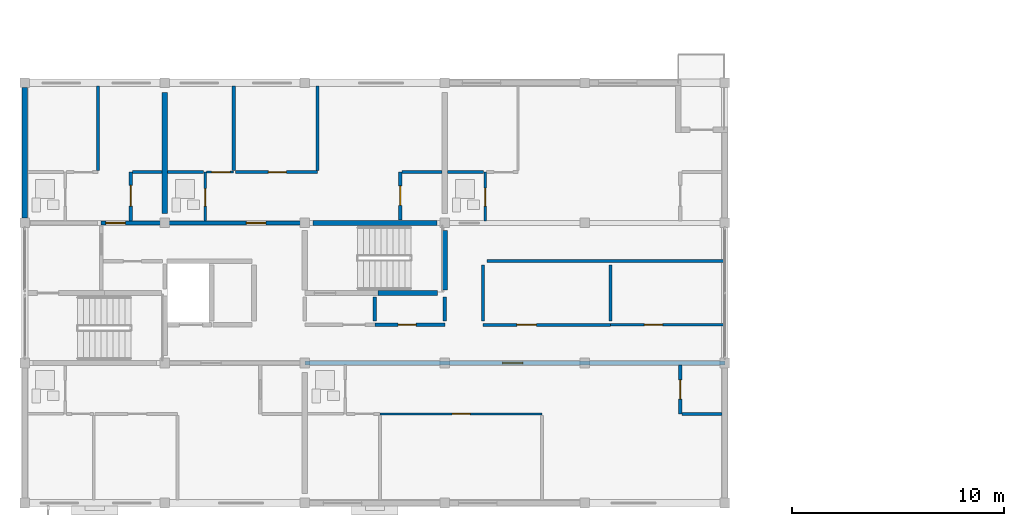
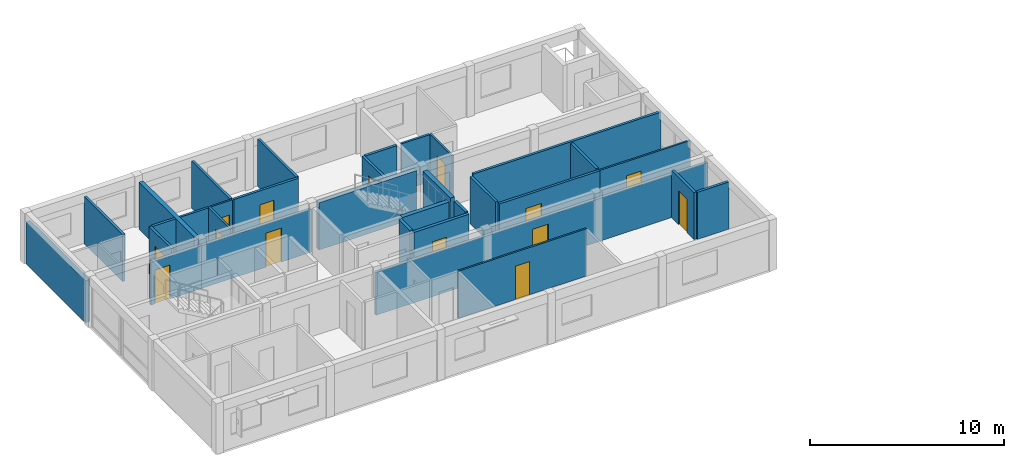
# One storey, part 10 of 22: 32 walls, 14 doors, 14 openings.
"""IFC4 building model written with IfcOpenShell, lengths in metres."""

from ifc_helpers import new_model, si_unit, direction, frame, frame_2d, origin, place, context, subcontext, project, spatial, rectangle, extrude, material, layer, layer_set, type_object, element, fill, save


model = new_model("IFC4")

# Units and contexts
model_context = context("Model", 3, precision=1e-05, world=origin(), true_north=direction((0.0, 1.0)))
body_context = subcontext(model_context, "Body", "Model", "MODEL_VIEW")
ifc_project = project(units=[si_unit("LENGTHUNIT", "METRE"), si_unit("AREAUNIT", "SQUARE_METRE"), si_unit("VOLUMEUNIT", "CUBIC_METRE"), si_unit("PLANEANGLEUNIT", "RADIAN"), si_unit("MASSUNIT", "GRAM", prefix="KILO")], contexts=[model_context])

# Site, building, storey
site_placement = place(None, origin())
site = spatial("IfcSite", under=ifc_project, at=site_placement, CompositionType="ELEMENT")
building_placement = place(site_placement, origin())
building = spatial("IfcBuilding", under=site, at=building_placement, Name="Kernevlak Ridge Housing Community", CompositionType="ELEMENT")
storey_placement = place(building_placement, frame((0.0, 0.0, 43.60009765625)))
storey = spatial("IfcBuildingStorey", under=building, at=storey_placement, Name="L13", CompositionType="ELEMENT", Elevation=43.60009765625)

# Wall
ifc_material_1 = material(Name="Concrete block masonry M10", Category="masonry")
ifc_layer_1 = layer(ifc_material_1, 0.260009765625, Name="Concrete block masonry M10")
ifc_layer_set_1 = layer_set([ifc_layer_1], Name="Concrete block masonry M10")
wall_type_1 = type_object("IfcWallType", Name="EW-05", PredefinedType="STANDARD", material=ifc_layer_set_1)
wall_1_placement = place(storey_placement, frame((15.60009765625, 89.425048828125, 0.0), z_axis=(0.0, 0.0, 1.0), x_axis=(0.0, 1.0, 0.0)))
element("IfcWall", 1, at=wall_1_placement, inside=storey, type_object=wall_type_1, Name="Exterior wall EW-05 L13 218", PredefinedType="STANDARD", context=body_context, shape_type="SweptSolid", body=[
    extrude(rectangle(XDim=6.14990234375, YDim=0.260009765625, at=frame_2d((3.074951171875, 0.0))), origin(), (0.0, 0.0, 1.0), 2.64990234375),
])

# Wall, opening, door
ifc_layer_2 = layer(ifc_material_1, 0.175048828125, Name="Concrete block masonry M10")
ifc_layer_set_2 = layer_set([ifc_layer_2], Name="Concrete block masonry M10")
wall_type_2 = type_object("IfcWallType", Name="PW-02", PredefinedType="PARTITIONING", material=ifc_layer_set_2)
wall_2_placement = place(storey_placement, frame((32.10009765625, 84.39990234375, 0.0), z_axis=(0.0, 0.0, 1.0), x_axis=(1.0, 0.0, 0.0)))
wall_2 = element("IfcWall", 2, at=wall_2_placement, inside=storey, type_object=wall_type_2, Name="Interior wall PW-02 WAL-INT-L13-0831", PredefinedType="PARTITIONING", context=body_context, shape_type="SweptSolid", body=[
    extrude(rectangle(XDim=3.2998046875, YDim=0.175048828125, at=frame_2d((1.64990234375, 0.0))), origin(), (0.0, 0.0, 1.0), 2.97998046875),
])
opening_1_placement = place(wall_2_placement, frame((1.10009765625, 0.0, 0.0)))
opening_1 = element("IfcOpeningElement", 3, at=opening_1_placement, cuts=wall_2, Name="Opening D420", PredefinedType="OPENING", context=body_context, shape_type="SweptSolid", body=[
    extrude(rectangle(XDim=0.85009765625, YDim=2.0, at=frame_2d((0.425048828125, 1.0))), frame((0.0, 0.097412109375, 0.0), z_axis=(0.0, -1.0, 0.0), x_axis=(1.0, 0.0, 0.0)), (0.0, 0.0, 1.0), 0.195068359375),
])
ifc_material_2 = material(Name="Fire-rated sheet steel leaf", Category="steel")
door_type_1 = type_object("IfcDoorType", Name="DT-07", OperationType="NOTDEFINED", PredefinedType="DOOR", material=ifc_material_2)
door_1_placement = place(opening_1_placement, origin())
door_1 = element("IfcDoor", 4, at=door_1_placement, inside=storey, type_object=door_type_1, Name="Block A Cleaner store door D420", OperationType="SINGLE_SWING_RIGHT", OverallHeight=2.0, OverallWidth=0.85009765625, PredefinedType="DOOR", context=body_context, shape_type="SweptSolid", body=[
    extrude(rectangle(XDim=0.85009765625, YDim=2.0, at=frame_2d((0.425048828125, 1.0))), frame((0.0, 0.02490234375, 0.0), z_axis=(0.0, -1.0, 0.0), x_axis=(1.0, 0.0, 0.0)), (0.0, 0.0, 1.0), 0.050048828125),
])
fill(opening_1, door_1)

# Walls
for number, where, z_axis, x_axis, name in (
    (5, (32.10009765625, 84.580078125, 0.0), (0.0, 0.0, 1.0), (0.0, 1.0, 0.0), "Interior wall PW-02 WAL-INT-L13-0833"),
    (6, (35.39990234375, 84.580078125, 0.0), (0.0, 0.0, 1.0), (0.0, 1.0, 0.0), "Interior wall PW-02 WAL-INT-L13-0834"),
):
    element("IfcWall", number, at=place(storey_placement, frame(where, z_axis=z_axis, x_axis=x_axis)), inside=storey, type_object=wall_type_2, Name=name, PredefinedType="PARTITIONING", context=body_context, shape_type="SweptSolid", body=[
        extrude(rectangle(XDim=1.139892578125, YDim=0.175048828125, at=frame_2d((0.56982421875, 0.0))), origin(), (0.0, 0.0, 1.0), 2.97998046875),
    ])

# Wall, opening, door
wall_3_placement = place(storey_placement, frame((28.800048828125, 82.60009765625, 0.0), z_axis=(0.0, 0.0, 1.0), x_axis=(1.0, 0.0, 0.0)))
wall_3 = element("IfcWall", 7, at=wall_3_placement, inside=storey, type_object=wall_type_2, Name="Interior wall PW-02 WAL-INT-L13-0849", PredefinedType="PARTITIONING", context=body_context, shape_type="SweptSolid", body=[
    extrude(rectangle(XDim=19.800048828125, YDim=0.175048828125, at=frame_2d((9.89990234375, 0.0))), origin(), (0.0, 0.0, 1.0), 2.699951171875),
])
opening_2_placement = place(wall_3_placement, frame((9.324951171875, 0.0, 0.0)))
opening_2 = element("IfcOpeningElement", 8, at=opening_2_placement, cuts=wall_3, Name="Opening D428", PredefinedType="OPENING", context=body_context, shape_type="SweptSolid", body=[
    extrude(rectangle(XDim=0.949951171875, YDim=2.159912109375, at=frame_2d((0.47509765625, 1.080078125))), frame((0.0, 0.097412109375, 0.0), z_axis=(0.0, -1.0, 0.0), x_axis=(1.0, 0.0, 0.0)), (0.0, 0.0, 1.0), 0.195068359375),
])
ifc_material_3 = material(Name="Hardwood timber solid-core fire leaf", Category="wood")
door_type_2 = type_object("IfcDoorType", Name="DT-02", OperationType="NOTDEFINED", PredefinedType="DOOR", material=ifc_material_3)
door_2_placement = place(opening_2_placement, origin())
door_2 = element("IfcDoor", 9, at=door_2_placement, inside=storey, type_object=door_type_2, Name="Flat A1312 entrance fire door D428", OperationType="SINGLE_SWING_RIGHT", OverallHeight=2.159912109375, OverallWidth=0.949951171875, PredefinedType="DOOR", context=body_context, shape_type="SweptSolid", body=[
    extrude(rectangle(XDim=0.949951171875, YDim=2.159912109375, at=frame_2d((0.47509765625, 1.080078125))), frame((0.0, 0.02490234375, 0.0), z_axis=(0.0, -1.0, 0.0), x_axis=(1.0, 0.0, 0.0)), (0.0, 0.0, 1.0), 0.050048828125),
])
fill(opening_2, door_2)

wall_4_placement = place(storey_placement, frame((19.199951171875, 89.199951171875, 0.0), z_axis=(0.0, 0.0, 1.0), x_axis=(1.0, 0.0, 0.0)))
wall_4 = element("IfcWall", 10, at=wall_4_placement, inside=storey, type_object=wall_type_2, Name="Interior wall PW-02 WAL-INT-L13-0859", PredefinedType="PARTITIONING", context=body_context, shape_type="SweptSolid", body=[
    extrude(rectangle(XDim=3.0, YDim=0.175048828125, at=frame_2d((1.5, 0.0))), origin(), (0.0, 0.0, 1.0), 2.699951171875),
])
opening_3_placement = place(wall_4_placement, frame((0.219970703125, 0.0, 0.0)))
opening_3 = element("IfcOpeningElement", 11, at=opening_3_placement, cuts=wall_4, Name="Opening D433", PredefinedType="OPENING", context=body_context, shape_type="SweptSolid", body=[
    extrude(rectangle(XDim=0.919921875, YDim=2.139892578125, at=frame_2d((0.4599609375, 1.06982421875))), frame((0.0, 0.097412109375, 0.0), z_axis=(0.0, -1.0, 0.0), x_axis=(1.0, 0.0, 0.0)), (0.0, 0.0, 1.0), 0.195068359375),
])
door_type_3 = type_object("IfcDoorType", Name="DT-20", OperationType="NOTDEFINED", PredefinedType="DOOR", material=ifc_material_3)
door_3_placement = place(opening_3_placement, origin())
door_3 = element("IfcDoor", 12, at=door_3_placement, inside=storey, type_object=door_type_3, Name="Flat A1321 entrance fire door D433", OperationType="SINGLE_SWING_LEFT", OverallHeight=2.139892578125, OverallWidth=0.919921875, PredefinedType="DOOR", context=body_context, shape_type="SweptSolid", body=[
    extrude(rectangle(XDim=0.919921875, YDim=2.139892578125, at=frame_2d((0.4599609375, 1.06982421875))), frame((0.0, 0.02490234375, 0.0), z_axis=(0.0, -1.0, 0.0), x_axis=(1.0, 0.0, 0.0)), (0.0, 0.0, 1.0), 0.050048828125),
])
fill(opening_3, door_3)

wall_5_placement = place(storey_placement, frame((22.199951171875, 89.199951171875, 0.0), z_axis=(0.0, 0.0, 1.0), x_axis=(1.0, 0.0, 0.0)))
wall_5 = element("IfcWall", 13, at=wall_5_placement, inside=storey, type_object=wall_type_2, Name="Interior wall PW-02 WAL-INT-L13-0866", PredefinedType="PARTITIONING", context=body_context, shape_type="SweptSolid", body=[
    extrude(rectangle(XDim=6.60009765625, YDim=0.175048828125, at=frame_2d((3.300048828125, 0.0))), origin(), (0.0, 0.0, 1.0), 2.699951171875),
])
opening_4_placement = place(wall_5_placement, frame((3.85009765625, 0.0, 0.0)))
opening_4 = element("IfcOpeningElement", 14, at=opening_4_placement, cuts=wall_5, Name="Opening D437", PredefinedType="OPENING", context=body_context, shape_type="SweptSolid", body=[
    extrude(rectangle(XDim=0.919921875, YDim=2.139892578125, at=frame_2d((0.4599609375, 1.06982421875))), frame((0.0, 0.097412109375, 0.0), z_axis=(0.0, -1.0, 0.0), x_axis=(1.0, 0.0, 0.0)), (0.0, 0.0, 1.0), 0.195068359375),
])
door_4_placement = place(opening_4_placement, origin())
door_4 = element("IfcDoor", 15, at=door_4_placement, inside=storey, type_object=door_type_3, Name="Flat A1322 entrance fire door D437", OperationType="SINGLE_SWING_LEFT", OverallHeight=2.139892578125, OverallWidth=0.919921875, PredefinedType="DOOR", context=body_context, shape_type="SweptSolid", body=[
    extrude(rectangle(XDim=0.919921875, YDim=2.139892578125, at=frame_2d((0.4599609375, 1.06982421875))), frame((0.0, 0.02490234375, 0.0), z_axis=(0.0, -1.0, 0.0), x_axis=(1.0, 0.0, 0.0)), (0.0, 0.0, 1.0), 0.050048828125),
])
fill(opening_4, door_4)

ifc_layer_3 = layer(ifc_material_1, 0.14501953125, Name="Concrete block masonry M10")
ifc_layer_set_3 = layer_set([ifc_layer_3], Name="Concrete block masonry M10")
wall_type_3 = type_object("IfcWallType", Name="PW-03", PredefinedType="PARTITIONING", material=ifc_layer_set_3)
wall_6_placement = place(storey_placement, frame((37.199951171875, 84.39990234375, 0.0), z_axis=(0.0, 0.0, 1.0), x_axis=(1.0, 0.0, 0.0)))
wall_6 = element("IfcWall", 16, at=wall_6_placement, inside=storey, type_object=wall_type_3, Name="Interior wall PW-03 WAL-INT-L13-0835", PredefinedType="PARTITIONING", context=body_context, shape_type="SweptSolid", body=[
    extrude(rectangle(XDim=6.0, YDim=0.14501953125, at=frame_2d((3.0, 0.0))), origin(), (0.0, 0.0, 1.0), 2.97998046875),
])
opening_5_placement = place(wall_6_placement, frame((1.60009765625, 0.0, 0.0)))
opening_5 = element("IfcOpeningElement", 17, at=opening_5_placement, cuts=wall_6, Name="Opening D421", PredefinedType="OPENING", context=body_context, shape_type="SweptSolid", body=[
    extrude(rectangle(XDim=0.909912109375, YDim=2.139892578125, at=frame_2d((0.455078125, 1.06982421875))), frame((0.0, 0.08251953125, 0.0), z_axis=(0.0, -1.0, 0.0), x_axis=(1.0, 0.0, 0.0)), (0.0, 0.0, 1.0), 0.1650390625),
])
ifc_material_4 = material(Name="Hardwood timber leaf", Category="wood")
door_type_4 = type_object("IfcDoorType", Name="DT-31", OperationType="NOTDEFINED", PredefinedType="DOOR", material=ifc_material_4)
door_5_placement = place(opening_5_placement, origin())
door_5 = element("IfcDoor", 18, at=door_5_placement, inside=storey, type_object=door_type_4, Name="Block A Laundry room door D421", OperationType="SINGLE_SWING_LEFT", OverallHeight=2.139892578125, OverallWidth=0.909912109375, PredefinedType="DOOR", context=body_context, shape_type="SweptSolid", body=[
    extrude(rectangle(XDim=0.909912109375, YDim=2.139892578125, at=frame_2d((0.455078125, 1.06982421875))), frame((0.0, 0.02490234375, 0.0), z_axis=(0.0, -1.0, 0.0), x_axis=(1.0, 0.0, 0.0)), (0.0, 0.0, 1.0), 0.050048828125),
])
fill(opening_5, door_5)

# Walls
wall_7_placement = place(storey_placement, frame((43.199951171875, 84.580078125, 0.0), z_axis=(0.0, 0.0, 1.0), x_axis=(0.0, 1.0, 0.0)))
element("IfcWall", 19, at=wall_7_placement, inside=storey, type_object=wall_type_3, Name="Interior wall PW-03 WAL-INT-L13-0837", PredefinedType="PARTITIONING", context=body_context, shape_type="SweptSolid", body=[
    extrude(rectangle(XDim=2.639892578125, YDim=0.14501953125, at=frame_2d((1.31982421875, 0.0))), origin(), (0.0, 0.0, 1.0), 2.97998046875),
])
wall_8_placement = place(storey_placement, frame((37.3798828125, 87.39990234375, 0.0), z_axis=(0.0, 0.0, 1.0), x_axis=(1.0, 0.0, 0.0)))
element("IfcWall", 20, at=wall_8_placement, inside=storey, type_object=wall_type_3, Name="Interior wall PW-03 WAL-INT-L13-0838", PredefinedType="PARTITIONING", context=body_context, shape_type="SweptSolid", body=[
    extrude(rectangle(XDim=11.2001953125, YDim=0.14501953125, at=frame_2d((5.60009765625, 0.0))), origin(), (0.0, 0.0, 1.0), 2.97998046875),
])
wall_9_placement = place(storey_placement, frame((37.199951171875, 84.580078125, 0.0), z_axis=(0.0, 0.0, 1.0), x_axis=(0.0, 1.0, 0.0)))
element("IfcWall", 21, at=wall_9_placement, inside=storey, type_object=wall_type_3, Name="Interior wall PW-03 WAL-INT-L13-0839", PredefinedType="PARTITIONING", context=body_context, shape_type="SweptSolid", body=[
    extrude(rectangle(XDim=2.639892578125, YDim=0.14501953125, at=frame_2d((1.31982421875, 0.0))), origin(), (0.0, 0.0, 1.0), 2.97998046875),
])
wall_10_placement = place(storey_placement, frame((19.050048828125, 91.6826171875, 0.0), z_axis=(0.0, 0.0, 1.0), x_axis=(0.0, 1.0, 0.0)))
element("IfcWall", 22, at=wall_10_placement, inside=storey, type_object=wall_type_3, Name="Interior wall PW-03 WAL-INT-L13-0865", PredefinedType="PARTITIONING", context=body_context, shape_type="SweptSolid", body=[
    extrude(rectangle(XDim=3.977294921875, YDim=0.14501953125, at=frame_2d((1.98876953125, 0.0))), origin(), (0.0, 0.0, 1.0), 2.97998046875),
])
wall_11_placement = place(storey_placement, frame((25.449951171875, 91.679931640625, 0.0), z_axis=(0.0, 0.0, 1.0), x_axis=(0.0, 1.0, 0.0)))
element("IfcWall", 23, at=wall_11_placement, inside=storey, type_object=wall_type_3, Name="Interior wall PW-03 WAL-INT-L13-0872", PredefinedType="PARTITIONING", context=body_context, shape_type="SweptSolid", body=[
    extrude(rectangle(XDim=3.97998046875, YDim=0.14501953125, at=frame_2d((1.989990234375, 0.0))), origin(), (0.0, 0.0, 1.0), 2.97998046875),
])

# Wall, opening, door
wall_12_placement = place(storey_placement, frame((25.532470703125, 91.60009765625, 0.0), z_axis=(0.0, 0.0, 1.0), x_axis=(1.0, 0.0, 0.0)))
wall_12 = element("IfcWall", 24, at=wall_12_placement, inside=storey, type_object=wall_type_3, Name="Interior wall PW-03 WAL-INT-L13-0873", PredefinedType="PARTITIONING", context=body_context, shape_type="SweptSolid", body=[
    extrude(rectangle(XDim=3.859619140625, YDim=0.14501953125, at=frame_2d((1.9296875, 0.0))), origin(), (0.0, 0.0, 1.0), 2.97998046875),
])
opening_6_placement = place(wall_12_placement, frame((1.5458984375, 0.0, 0.0)))
opening_6 = element("IfcOpeningElement", 25, at=opening_6_placement, cuts=wall_12, Name="Opening D441", PredefinedType="OPENING", context=body_context, shape_type="SweptSolid", body=[
    extrude(rectangle(XDim=0.85009765625, YDim=2.10009765625, at=frame_2d((0.425048828125, 1.050048828125))), frame((0.0, 0.08251953125, 0.0), z_axis=(0.0, -1.0, 0.0), x_axis=(1.0, 0.0, 0.0)), (0.0, 0.0, 1.0), 0.1650390625),
])
door_type_5 = type_object("IfcDoorType", Name="DT-03", OperationType="NOTDEFINED", PredefinedType="DOOR", material=ifc_material_4)
door_6_placement = place(opening_6_placement, origin())
door_6 = element("IfcDoor", 26, at=door_6_placement, inside=storey, type_object=door_type_5, Name="Flat A1322 bedroom door D441", OperationType="SINGLE_SWING_LEFT", OverallHeight=2.10009765625, OverallWidth=0.85009765625, PredefinedType="DOOR", context=body_context, shape_type="SweptSolid", body=[
    extrude(rectangle(XDim=0.85009765625, YDim=2.10009765625, at=frame_2d((0.425048828125, 1.050048828125))), frame((0.0, 0.02490234375, 0.0), z_axis=(0.0, -1.0, 0.0), x_axis=(1.0, 0.0, 0.0)), (0.0, 0.0, 1.0), 0.050048828125),
])
fill(opening_6, door_6)

# Wall
wall_13_placement = place(storey_placement, frame((29.39208984375, 91.6826171875, 0.0), z_axis=(0.0, 0.0, 1.0), x_axis=(0.0, 1.0, 0.0)))
element("IfcWall", 27, at=wall_13_placement, inside=storey, type_object=wall_type_3, Name="Interior wall PW-03 WAL-INT-L13-0874", PredefinedType="PARTITIONING", context=body_context, shape_type="SweptSolid", body=[
    extrude(rectangle(XDim=3.977294921875, YDim=0.14501953125, at=frame_2d((1.98876953125, 0.0))), origin(), (0.0, 0.0, 1.0), 2.97998046875),
])

# Wall, opening, door
ifc_material_5 = material(Name="Gypsum plasterboard EN 520", Category="gypsum")
ifc_layer_4 = layer(ifc_material_5, 0.125, Name="Gypsum plasterboard EN 520")
ifc_layer_set_4 = layer_set([ifc_layer_4], Name="Gypsum plasterboard EN 520")
wall_type_4 = type_object("IfcWallType", Name="PW-04", PredefinedType="PARTITIONING", material=ifc_layer_set_4)
wall_14_placement = place(storey_placement, frame((24.10009765625, 89.297607421875, 0.0), z_axis=(0.0, 0.0, 1.0), x_axis=(0.0, 1.0, 0.0)))
wall_14 = element("IfcWall", 28, at=wall_14_placement, inside=storey, type_object=wall_type_4, Name="Interior wall PW-04 WAL-INT-L13-0867", PredefinedType="PARTITIONING", context=body_context, shape_type="SweptSolid", body=[
    extrude(rectangle(XDim=2.302490234375, YDim=0.125, at=frame_2d((1.1513671875, 0.0))), origin(), (0.0, 0.0, 1.0), 2.97998046875),
])
opening_7_placement = place(wall_14_placement, frame((0.699951171875, 0.0, 0.0)))
opening_7 = element("IfcOpeningElement", 29, at=opening_7_placement, cuts=wall_14, Name="Opening D438", PredefinedType="OPENING", context=body_context, shape_type="SweptSolid", body=[
    extrude(rectangle(XDim=0.820068359375, YDim=2.050048828125, at=frame_2d((0.41015625, 1.02490234375))), frame((0.0, 0.072509765625, 0.0), z_axis=(0.0, -1.0, 0.0), x_axis=(1.0, 0.0, 0.0)), (0.0, 0.0, 1.0), 0.14501953125),
])
ifc_material_6 = material(Name="Hardwood timber moisture-resistant leaf", Category="wood")
door_type_6 = type_object("IfcDoorType", Name="DT-30", OperationType="NOTDEFINED", PredefinedType="DOOR", material=ifc_material_6)
door_7_placement = place(opening_7_placement, origin())
door_7 = element("IfcDoor", 30, at=door_7_placement, inside=storey, type_object=door_type_6, Name="Flat A1322 bathroom door D438", OperationType="SINGLE_SWING_RIGHT", OverallHeight=2.050048828125, OverallWidth=0.820068359375, PredefinedType="DOOR", context=body_context, shape_type="SweptSolid", body=[
    extrude(rectangle(XDim=0.820068359375, YDim=2.050048828125, at=frame_2d((0.41015625, 1.02490234375))), frame((0.0, 0.02490234375, 0.0), z_axis=(0.0, -1.0, 0.0), x_axis=(1.0, 0.0, 0.0)), (0.0, 0.0, 1.0), 0.050048828125),
])
fill(opening_7, door_7)

# Wall
wall_15_placement = place(storey_placement, frame((22.3349609375, 91.60009765625, 0.0), z_axis=(0.0, 0.0, 1.0), x_axis=(1.0, 0.0, 0.0)))
element("IfcWall", 31, at=wall_15_placement, inside=storey, type_object=wall_type_4, Name="Interior wall PW-04 WAL-INT-L13-0868", PredefinedType="PARTITIONING", context=body_context, shape_type="SweptSolid", body=[
    extrude(rectangle(XDim=1.68505859375, YDim=0.125, at=frame_2d((0.842529296875, 0.0))), origin(), (0.0, 0.0, 1.0), 2.97998046875),
])

# Wall, opening, door
wall_16_placement = place(storey_placement, frame((37.300048828125, 89.297607421875, 0.0), z_axis=(0.0, 0.0, 1.0), x_axis=(0.0, 1.0, 0.0)))
wall_16 = element("IfcWall", 32, at=wall_16_placement, inside=storey, type_object=wall_type_4, Name="Interior wall PW-04 WAL-INT-L13-0876", PredefinedType="PARTITIONING", context=body_context, shape_type="SweptSolid", body=[
    extrude(rectangle(XDim=2.302490234375, YDim=0.125, at=frame_2d((1.1513671875, 0.0))), origin(), (0.0, 0.0, 1.0), 2.97998046875),
])
opening_8_placement = place(wall_16_placement, frame((0.699951171875, 0.0, 0.0)))
opening_8 = element("IfcOpeningElement", 33, at=opening_8_placement, cuts=wall_16, Name="Opening D443", PredefinedType="OPENING", context=body_context, shape_type="SweptSolid", body=[
    extrude(rectangle(XDim=0.85009765625, YDim=2.0400390625, at=frame_2d((0.425048828125, 1.02001953125))), frame((0.0, 0.072509765625, 0.0), z_axis=(0.0, -1.0, 0.0), x_axis=(1.0, 0.0, 0.0)), (0.0, 0.0, 1.0), 0.14501953125),
])
door_type_7 = type_object("IfcDoorType", Name="DT-04", OperationType="NOTDEFINED", PredefinedType="DOOR", material=ifc_material_6)
door_8_placement = place(opening_8_placement, origin())
door_8 = element("IfcDoor", 34, at=door_8_placement, inside=storey, type_object=door_type_7, Name="Flat A1323 bathroom door D443", OperationType="SINGLE_SWING_LEFT", OverallHeight=2.0400390625, OverallWidth=0.85009765625, PredefinedType="DOOR", context=body_context, shape_type="SweptSolid", body=[
    extrude(rectangle(XDim=0.85009765625, YDim=2.0400390625, at=frame_2d((0.425048828125, 1.02001953125))), frame((0.0, 0.02490234375, 0.0), z_axis=(0.0, -1.0, 0.0), x_axis=(1.0, 0.0, 0.0)), (0.0, 0.0, 1.0), 0.050048828125),
])
fill(opening_8, door_8)

# Wall
wall_17_placement = place(storey_placement, frame((35.534912109375, 91.60009765625, 0.0), z_axis=(0.0, 0.0, 1.0), x_axis=(1.0, 0.0, 0.0)))
element("IfcWall", 35, at=wall_17_placement, inside=storey, type_object=wall_type_4, Name="Interior wall PW-04 WAL-INT-L13-0877", PredefinedType="PARTITIONING", context=body_context, shape_type="SweptSolid", body=[
    extrude(rectangle(XDim=1.68505859375, YDim=0.125, at=frame_2d((0.842529296875, 0.0))), origin(), (0.0, 0.0, 1.0), 2.97998046875),
])

# Wall, opening, door
ifc_layer_5 = layer(ifc_material_5, 0.155029296875, Name="Gypsum plasterboard EN 520")
ifc_layer_set_5 = layer_set([ifc_layer_5], Name="Gypsum plasterboard EN 520")
wall_type_5 = type_object("IfcWallType", Name="PW-05", PredefinedType="PARTITIONING", material=ifc_layer_set_5)
wall_18_placement = place(storey_placement, frame((46.5, 82.50244140625, 0.0), z_axis=(0.0, 0.0, 1.0), x_axis=(0.0, -1.0, 0.0)))
wall_18 = element("IfcWall", 36, at=wall_18_placement, inside=storey, type_object=wall_type_5, Name="Interior wall PW-05 WAL-INT-L13-0852", PredefinedType="PARTITIONING", context=body_context, shape_type="SweptSolid", body=[
    extrude(rectangle(XDim=2.302490234375, YDim=0.155029296875, at=frame_2d((1.1513671875, 0.0))), origin(), (0.0, 0.0, 1.0), 2.97998046875),
])
opening_9_placement = place(wall_18_placement, frame((0.699951171875, 0.0, 0.0)))
opening_9 = element("IfcOpeningElement", 37, at=opening_9_placement, cuts=wall_18, Name="Opening D430", PredefinedType="OPENING", context=body_context, shape_type="SweptSolid", body=[
    extrude(rectangle(XDim=0.909912109375, YDim=2.139892578125, at=frame_2d((0.455078125, 1.06982421875))), frame((0.0, 0.08740234375, 0.0), z_axis=(0.0, -1.0, 0.0), x_axis=(1.0, 0.0, 0.0)), (0.0, 0.0, 1.0), 0.175048828125),
])
door_9_placement = place(opening_9_placement, origin())
door_9 = element("IfcDoor", 38, at=door_9_placement, inside=storey, type_object=door_type_4, Name="Flat A1312 kitchen door D430", OperationType="SINGLE_SWING_RIGHT", OverallHeight=2.139892578125, OverallWidth=0.909912109375, PredefinedType="DOOR", context=body_context, shape_type="SweptSolid", body=[
    extrude(rectangle(XDim=0.909912109375, YDim=2.139892578125, at=frame_2d((0.455078125, 1.06982421875))), frame((0.0, 0.02490234375, 0.0), z_axis=(0.0, -1.0, 0.0), x_axis=(1.0, 0.0, 0.0)), (0.0, 0.0, 1.0), 0.050048828125),
])
fill(opening_9, door_9)

# Wall
wall_19_placement = place(storey_placement, frame((46.58740234375, 80.199951171875, 0.0), z_axis=(0.0, 0.0, 1.0), x_axis=(1.0, 0.0, 0.0)))
element("IfcWall", 39, at=wall_19_placement, inside=storey, type_object=wall_type_5, Name="Interior wall PW-05 WAL-INT-L13-0853", PredefinedType="PARTITIONING", context=body_context, shape_type="SweptSolid", body=[
    extrude(rectangle(XDim=1.87255859375, YDim=0.155029296875, at=frame_2d((0.936279296875, 0.0))), origin(), (0.0, 0.0, 1.0), 2.97998046875),
])

# Wall, opening, door
wall_20_placement = place(storey_placement, frame((20.60009765625, 89.297607421875, 0.0), z_axis=(0.0, 0.0, 1.0), x_axis=(0.0, 1.0, 0.0)))
wall_20 = element("IfcWall", 40, at=wall_20_placement, inside=storey, type_object=wall_type_5, Name="Interior wall PW-05 WAL-INT-L13-0862", PredefinedType="PARTITIONING", context=body_context, shape_type="SweptSolid", body=[
    extrude(rectangle(XDim=2.302490234375, YDim=0.155029296875, at=frame_2d((1.1513671875, 0.0))), origin(), (0.0, 0.0, 1.0), 2.97998046875),
])
opening_10_placement = place(wall_20_placement, frame((0.699951171875, 0.0, 0.0)))
opening_10 = element("IfcOpeningElement", 41, at=opening_10_placement, cuts=wall_20, Name="Opening D435", PredefinedType="OPENING", context=body_context, shape_type="SweptSolid", body=[
    extrude(rectangle(XDim=0.97998046875, YDim=2.1201171875, at=frame_2d((0.489990234375, 1.06005859375))), frame((0.0, 0.08740234375, 0.0), z_axis=(0.0, -1.0, 0.0), x_axis=(1.0, 0.0, 0.0)), (0.0, 0.0, 1.0), 0.175048828125),
])
door_type_8 = type_object("IfcDoorType", Name="DT-24", OperationType="NOTDEFINED", PredefinedType="DOOR", material=ifc_material_4)
door_10_placement = place(opening_10_placement, origin())
door_10 = element("IfcDoor", 42, at=door_10_placement, inside=storey, type_object=door_type_8, Name="Flat A1321 kitchen door D435", OperationType="SINGLE_SWING_LEFT", OverallHeight=2.1201171875, OverallWidth=0.97998046875, PredefinedType="DOOR", context=body_context, shape_type="SweptSolid", body=[
    extrude(rectangle(XDim=0.97998046875, YDim=2.1201171875, at=frame_2d((0.489990234375, 1.06005859375))), frame((0.0, 0.02490234375, 0.0), z_axis=(0.0, -1.0, 0.0), x_axis=(1.0, 0.0, 0.0)), (0.0, 0.0, 1.0), 0.050048828125),
])
fill(opening_10, door_10)

# Wall
wall_21_placement = place(storey_placement, frame((20.6875, 91.60009765625, 0.0), z_axis=(0.0, 0.0, 1.0), x_axis=(1.0, 0.0, 0.0)))
element("IfcWall", 43, at=wall_21_placement, inside=storey, type_object=wall_type_5, Name="Interior wall PW-05 WAL-INT-L13-0863", PredefinedType="PARTITIONING", context=body_context, shape_type="SweptSolid", body=[
    extrude(rectangle(XDim=1.37744140625, YDim=0.155029296875, at=frame_2d((0.688720703125, 0.0))), origin(), (0.0, 0.0, 1.0), 2.97998046875),
])

# Wall, opening, door
wall_22_placement = place(storey_placement, frame((33.300048828125, 89.3349609375, 0.0), z_axis=(0.0, 0.0, 1.0), x_axis=(0.0, 1.0, 0.0)))
wall_22 = element("IfcWall", 44, at=wall_22_placement, inside=storey, type_object=wall_type_5, Name="Interior wall PW-05 WAL-INT-L13-0869", PredefinedType="PARTITIONING", context=body_context, shape_type="SweptSolid", body=[
    extrude(rectangle(XDim=2.26513671875, YDim=0.155029296875, at=frame_2d((1.132568359375, 0.0))), origin(), (0.0, 0.0, 1.0), 2.97998046875),
])
opening_11_placement = place(wall_22_placement, frame((0.699951171875, 0.0, 0.0)))
opening_11 = element("IfcOpeningElement", 45, at=opening_11_placement, cuts=wall_22, Name="Opening D439", PredefinedType="OPENING", context=body_context, shape_type="SweptSolid", body=[
    extrude(rectangle(XDim=0.909912109375, YDim=2.139892578125, at=frame_2d((0.455078125, 1.06982421875))), frame((0.0, 0.08740234375, 0.0), z_axis=(0.0, -1.0, 0.0), x_axis=(1.0, 0.0, 0.0)), (0.0, 0.0, 1.0), 0.175048828125),
])
door_11_placement = place(opening_11_placement, origin())
door_11 = element("IfcDoor", 46, at=door_11_placement, inside=storey, type_object=door_type_4, Name="Flat A1322 kitchen door D439", OperationType="SINGLE_SWING_LEFT", OverallHeight=2.139892578125, OverallWidth=0.909912109375, PredefinedType="DOOR", context=body_context, shape_type="SweptSolid", body=[
    extrude(rectangle(XDim=0.909912109375, YDim=2.139892578125, at=frame_2d((0.455078125, 1.06982421875))), frame((0.0, 0.02490234375, 0.0), z_axis=(0.0, -1.0, 0.0), x_axis=(1.0, 0.0, 0.0)), (0.0, 0.0, 1.0), 0.050048828125),
])
fill(opening_11, door_11)

# Wall
wall_23_placement = place(storey_placement, frame((33.387451171875, 91.60009765625, 0.0), z_axis=(0.0, 0.0, 1.0), x_axis=(1.0, 0.0, 0.0)))
element("IfcWall", 47, at=wall_23_placement, inside=storey, type_object=wall_type_5, Name="Interior wall PW-05 WAL-INT-L13-0870", PredefinedType="PARTITIONING", context=body_context, shape_type="SweptSolid", body=[
    extrude(rectangle(XDim=1.87744140625, YDim=0.155029296875, at=frame_2d((0.938720703125, 0.0))), origin(), (0.0, 0.0, 1.0), 2.97998046875),
])

# Wall, opening, door
ifc_layer_6 = layer(ifc_material_5, 0.10498046875, Name="Gypsum plasterboard EN 520")
ifc_layer_set_6 = layer_set([ifc_layer_6], Name="Gypsum plasterboard EN 520")
wall_type_6 = type_object("IfcWallType", Name="PW-06", PredefinedType="PARTITIONING", material=ifc_layer_set_6)
wall_24_placement = place(storey_placement, frame((43.199951171875, 84.39990234375, 0.0), z_axis=(0.0, 0.0, 1.0), x_axis=(1.0, 0.0, 0.0)))
wall_24 = element("IfcWall", 48, at=wall_24_placement, inside=storey, type_object=wall_type_6, Name="Interior wall PW-06 WAL-INT-L13-0836", PredefinedType="PARTITIONING", context=body_context, shape_type="SweptSolid", body=[
    extrude(rectangle(XDim=5.400146484375, YDim=0.10498046875, at=frame_2d((2.7001953125, 0.0))), origin(), (0.0, 0.0, 1.0), 2.97998046875),
])
opening_12_placement = place(wall_24_placement, frame((1.60009765625, 0.0, 0.0)))
opening_12 = element("IfcOpeningElement", 49, at=opening_12_placement, cuts=wall_24, Name="Opening D422", PredefinedType="OPENING", context=body_context, shape_type="SweptSolid", body=[
    extrude(rectangle(XDim=0.8701171875, YDim=2.080078125, at=frame_2d((0.43505859375, 1.0400390625))), frame((0.0, 0.0625, 0.0), z_axis=(0.0, -1.0, 0.0), x_axis=(1.0, 0.0, 0.0)), (0.0, 0.0, 1.0), 0.125),
])
door_type_9 = type_object("IfcDoorType", Name="DT-32", OperationType="NOTDEFINED", PredefinedType="DOOR", material=ifc_material_4)
door_12_placement = place(opening_12_placement, origin())
door_12 = element("IfcDoor", 50, at=door_12_placement, inside=storey, type_object=door_type_9, Name="Block A Study room door D422", OperationType="SINGLE_SWING_RIGHT", OverallHeight=2.080078125, OverallWidth=0.8701171875, PredefinedType="DOOR", context=body_context, shape_type="SweptSolid", body=[
    extrude(rectangle(XDim=0.8701171875, YDim=2.080078125, at=frame_2d((0.43505859375, 1.0400390625))), frame((0.0, 0.02490234375, 0.0), z_axis=(0.0, -1.0, 0.0), x_axis=(1.0, 0.0, 0.0)), (0.0, 0.0, 1.0), 0.050048828125),
])
fill(opening_12, door_12)

wall_25_placement = place(storey_placement, frame((32.35009765625, 80.199951171875, 0.0), z_axis=(0.0, 0.0, 1.0), x_axis=(1.0, 0.0, 0.0)))
wall_25 = element("IfcWall", 51, at=wall_25_placement, inside=storey, type_object=wall_type_6, Name="Interior wall PW-06 WAL-INT-L13-0856", PredefinedType="PARTITIONING", context=body_context, shape_type="SweptSolid", body=[
    extrude(rectangle(XDim=7.637939453125, YDim=0.10498046875, at=frame_2d((3.81884765625, 0.0))), origin(), (0.0, 0.0, 1.0), 2.97998046875),
])
opening_13_placement = place(wall_25_placement, frame((3.39404296875, 0.0, 0.0)))
opening_13 = element("IfcOpeningElement", 52, at=opening_13_placement, cuts=wall_25, Name="Opening D432", PredefinedType="OPENING", context=body_context, shape_type="SweptSolid", body=[
    extrude(rectangle(XDim=0.85009765625, YDim=2.10009765625, at=frame_2d((0.425048828125, 1.050048828125))), frame((0.0, 0.0625, 0.0), z_axis=(0.0, -1.0, 0.0), x_axis=(1.0, 0.0, 0.0)), (0.0, 0.0, 1.0), 0.125),
])
door_13_placement = place(opening_13_placement, origin())
door_13 = element("IfcDoor", 53, at=door_13_placement, inside=storey, type_object=door_type_5, Name="Flat A1312 bedroom door D432", OperationType="SINGLE_SWING_RIGHT", OverallHeight=2.10009765625, OverallWidth=0.85009765625, PredefinedType="DOOR", context=body_context, shape_type="SweptSolid", body=[
    extrude(rectangle(XDim=0.85009765625, YDim=2.10009765625, at=frame_2d((0.425048828125, 1.050048828125))), frame((0.0, 0.02490234375, 0.0), z_axis=(0.0, -1.0, 0.0), x_axis=(1.0, 0.0, 0.0)), (0.0, 0.0, 1.0), 0.050048828125),
])
fill(opening_13, door_13)

wall_26_placement = place(storey_placement, frame((24.172607421875, 91.60009765625, 0.0), z_axis=(0.0, 0.0, 1.0), x_axis=(1.0, 0.0, 0.0)))
wall_26 = element("IfcWall", 54, at=wall_26_placement, inside=storey, type_object=wall_type_6, Name="Interior wall PW-06 WAL-INT-L13-0871", PredefinedType="PARTITIONING", context=body_context, shape_type="SweptSolid", body=[
    extrude(rectangle(XDim=1.27734375, YDim=0.10498046875, at=frame_2d((0.638671875, 0.0))), origin(), (0.0, 0.0, 1.0), 2.97998046875),
])
opening_14_placement = place(wall_26_placement, frame((0.237548828125, 0.0, 0.0)))
opening_14 = element("IfcOpeningElement", 55, at=opening_14_placement, cuts=wall_26, Name="Opening D440", PredefinedType="OPENING", context=body_context, shape_type="SweptSolid", body=[
    extrude(rectangle(XDim=0.8701171875, YDim=2.080078125, at=frame_2d((0.43505859375, 1.0400390625))), frame((0.0, 0.0625, 0.0), z_axis=(0.0, -1.0, 0.0), x_axis=(1.0, 0.0, 0.0)), (0.0, 0.0, 1.0), 0.125),
])
door_14_placement = place(opening_14_placement, origin())
door_14 = element("IfcDoor", 56, at=door_14_placement, inside=storey, type_object=door_type_9, Name="Flat A1322 bedroom door D440", OperationType="SINGLE_SWING_RIGHT", OverallHeight=2.080078125, OverallWidth=0.8701171875, PredefinedType="DOOR", context=body_context, shape_type="SweptSolid", body=[
    extrude(rectangle(XDim=0.8701171875, YDim=2.080078125, at=frame_2d((0.43505859375, 1.0400390625))), frame((0.0, 0.02490234375, 0.0), z_axis=(0.0, -1.0, 0.0), x_axis=(1.0, 0.0, 0.0)), (0.0, 0.0, 1.0), 0.050048828125),
])
fill(opening_14, door_14)

# Walls
ifc_material_7 = material(Name="Concrete C40/50", Category="concrete")
ifc_layer_7 = layer(ifc_material_7, 0.25, Name="Concrete C40/50")
ifc_layer_set_7 = layer_set([ifc_layer_7], Name="Concrete C40/50")
wall_type_7 = type_object("IfcWallType", Name="SW-03", PredefinedType="SHEAR", material=ifc_layer_set_7)
wall_27_placement = place(storey_placement, frame((29.179931640625, 89.199951171875, 0.0), z_axis=(0.0, 0.0, 1.0), x_axis=(1.0, 0.0, 0.0)))
element("IfcWall", 57, at=wall_27_placement, inside=storey, type_object=wall_type_7, Name="Shear wall SW-03 Block A L13 144", PredefinedType="SHEAR", context=body_context, shape_type="SweptSolid", body=[
    extrude(rectangle(XDim=5.840087890625, YDim=0.25, at=frame_2d((2.919921875, 0.0))), origin(), (0.0, 0.0, 1.0), 2.97998046875),
])
for number, where, z_axis, x_axis, name in (
    (58, (32.25, 85.89990234375, 0.0), (0.0, 0.0, 1.0), (1.0, 0.0, 0.0), "Shear wall SW-03 Block A L13 145"),
    (59, (35.39990234375, 86.050048828125, 0.0), (0.0, 0.0, 1.0), (0.0, 1.0, 0.0), "Shear wall SW-03 Block A L13 147"),
):
    element("IfcWall", number, at=place(storey_placement, frame(where, z_axis=z_axis, x_axis=x_axis)), inside=storey, type_object=wall_type_7, Name=name, PredefinedType="SHEAR", context=body_context, shape_type="SweptSolid", body=[
        extrude(rectangle(XDim=2.800048828125, YDim=0.25, at=frame_2d((1.39990234375, 0.0))), origin(), (0.0, 0.0, 1.0), 2.97998046875),
    ])
wall_28_placement = place(storey_placement, frame((22.199951171875, 89.64990234375, 0.0), z_axis=(0.0, 0.0, 1.0), x_axis=(0.0, 1.0, 0.0)))
element("IfcWall", 60, at=wall_28_placement, inside=storey, type_object=wall_type_7, Name="Shear wall SW-03 Block A L13 149", PredefinedType="SHEAR", context=body_context, shape_type="SweptSolid", body=[
    extrude(rectangle(XDim=5.7001953125, YDim=0.25, at=frame_2d((2.85009765625, 0.0))), origin(), (0.0, 0.0, 1.0), 2.97998046875),
])

save(model, "model.ifc")
